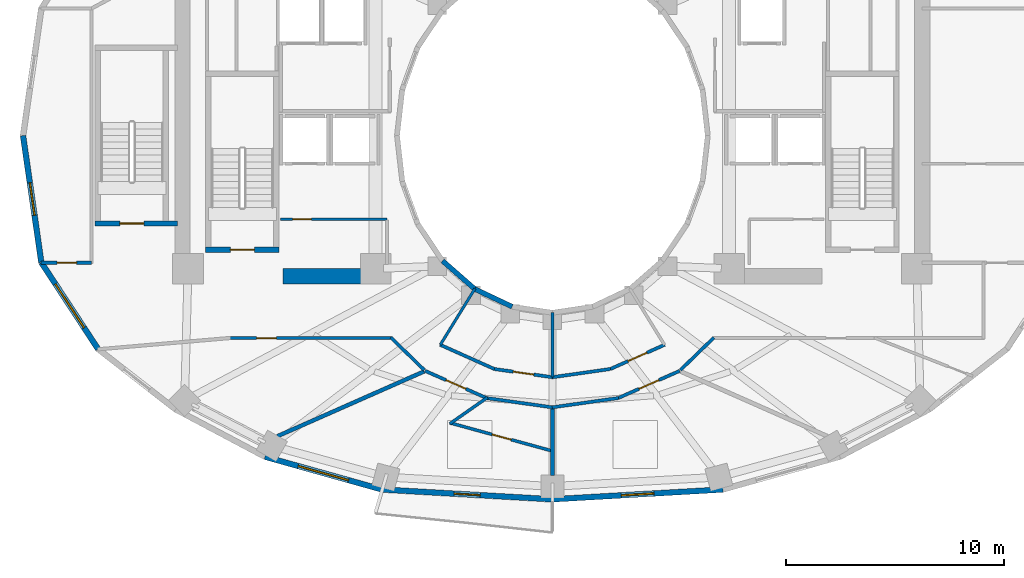
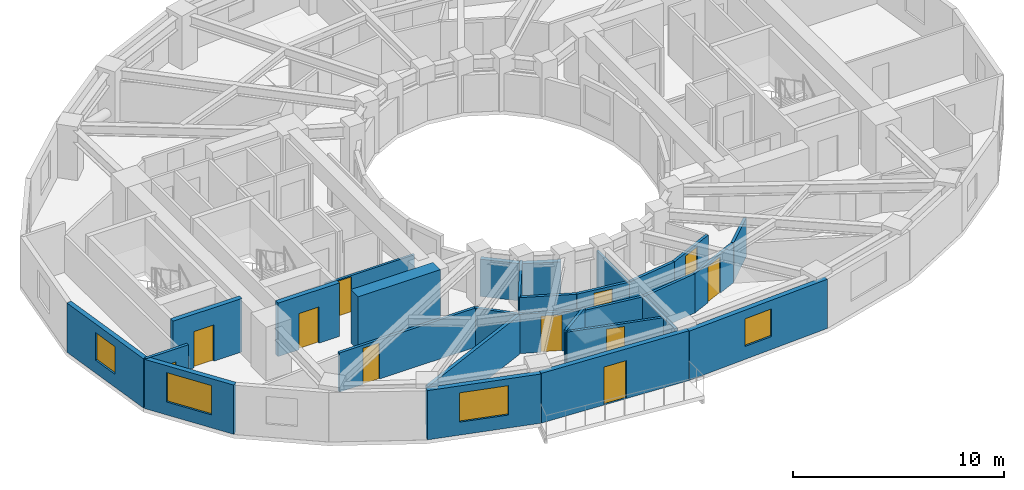
# One storey, part 3 of 9: 29 walls, 11 doors, 4 windows, 15 openings.
"""IFC4 building model written with IfcOpenShell, lengths in metres."""

from ifc_helpers import new_model, si_unit, direction, frame, frame_2d, origin, place, context, subcontext, project, spatial, rectangle, extrude, material, layer, layer_set, type_object, element, fill, save


model = new_model("IFC4")

# Units and contexts
model_context = context("Model", 3, precision=1e-05, world=origin(), true_north=direction((0.0, 1.0)))
body_context = subcontext(model_context, "Body", "Model", "MODEL_VIEW")
ifc_project = project(units=[si_unit("LENGTHUNIT", "METRE"), si_unit("AREAUNIT", "SQUARE_METRE"), si_unit("VOLUMEUNIT", "CUBIC_METRE"), si_unit("PLANEANGLEUNIT", "RADIAN"), si_unit("MASSUNIT", "GRAM", prefix="KILO")], contexts=[model_context])

# Site, building, storey
site_placement = place(None, origin())
site = spatial("IfcSite", under=ifc_project, at=site_placement, CompositionType="ELEMENT")
building_placement = place(site_placement, origin())
building = spatial("IfcBuilding", under=site, at=building_placement, Name="Solvane Sanctuary Tower", CompositionType="ELEMENT")
storey_placement = place(building_placement, frame((0.0, 0.0, 116.60009765625)))
storey = spatial("IfcBuildingStorey", under=building, at=storey_placement, Name="L35", CompositionType="ELEMENT", Elevation=116.60009765625)

# Wall
ifc_material_1 = material(Name="Concrete C60/75", Category="concrete")
ifc_layer_1 = layer(ifc_material_1, 0.699951171875, Name="Concrete C60/75")
ifc_layer_set_1 = layer_set([ifc_layer_1], Name="Concrete C60/75")
wall_type_1 = type_object("IfcWallType", Name="Wall W-CORE-700", PredefinedType="SHEAR", material=ifc_layer_set_1)
wall_1_placement = place(storey_placement, frame((19.64990234375, 16.550048828125, 0.0), z_axis=(0.0, 0.0, 1.0), x_axis=(1.0, 0.0, 0.0)))
element("IfcWall", 1, at=wall_1_placement, inside=storey, type_object=wall_type_1, Name="L35 Core Shear Wall WC-S", PredefinedType="SHEAR", context=body_context, shape_type="SweptSolid", body=[
    extrude(rectangle(XDim=4.5, YDim=0.699951171875, at=frame_2d((2.25, 0.0))), origin(), (0.0, 0.0, 1.0), 3.099853515625),
])

# Wall, opening, door
ifc_material_2 = material(Name="Acoustic Gypsum Partition Board")
ifc_layer_2 = layer(ifc_material_2, 0.14990234375, Name="Acoustic Gypsum Partition Board")
ifc_layer_set_2 = layer_set([ifc_layer_2], Name="Acoustic Gypsum Partition Board")
wall_type_2 = type_object("IfcWallType", Name="Wall W-CORR-150", PredefinedType="PARTITIONING", material=ifc_layer_set_2)
wall_2_placement = place(storey_placement, frame((8.558349609375, 17.1748046875, 0.0), z_axis=(0.0, 0.0, 1.0), x_axis=(1.0, 0.0, 0.0)))
wall_2 = element("IfcWall", 2, at=wall_2_placement, inside=storey, type_object=wall_type_2, Name="L35 West Shoulder South Wall", PredefinedType="PARTITIONING", context=body_context, shape_type="SweptSolid", body=[
    extrude(rectangle(XDim=2.321533203125, YDim=0.14990234375, at=frame_2d((1.16064453125, 0.0))), origin(), (0.0, 0.0, 1.0), 2.85498046875),
])
opening_1_placement = place(wall_2_placement, frame((0.739013671875, 0.0, 0.0)))
opening_1 = element("IfcOpeningElement", 3, at=opening_1_placement, cuts=wall_2, Name="Opening D-L35-16", PredefinedType="OPENING", context=body_context, shape_type="SweptSolid", body=[
    extrude(rectangle(XDim=0.89990234375, YDim=2.10009765625, at=frame_2d((0.449951171875, 1.050048828125))), frame((0.0, 0.0849609375, 0.0), z_axis=(0.0, -1.0, 0.0), x_axis=(1.0, 0.0, 0.0)), (0.0, 0.0, 1.0), 0.169921875),
])
ifc_material_3 = material(Name="Engineered Tropical Hardwood", Category="wood")
door_type_1 = type_object("IfcDoorType", Name="Door D-WET-900", OperationType="NOTDEFINED", PredefinedType="DOOR", material=ifc_material_3)
door_1_placement = place(opening_1_placement, origin())
door_1 = element("IfcDoor", 4, at=door_1_placement, inside=storey, type_object=door_type_1, Name="L35 West Shoulder South Door", OperationType="SINGLE_SWING_LEFT", OverallHeight=2.10009765625, OverallWidth=0.89990234375, PredefinedType="DOOR", context=body_context, shape_type="SweptSolid", body=[
    extrude(rectangle(XDim=0.89990234375, YDim=2.10009765625, at=frame_2d((0.449951171875, 1.050048828125))), frame((0.0, 0.02490234375, 0.0), z_axis=(0.0, -1.0, 0.0), x_axis=(1.0, 0.0, 0.0)), (0.0, 0.0, 1.0), 0.050048828125),
])
fill(opening_1, door_1)

# Wall
wall_3_placement = place(storey_placement, frame((26.132568359375, 12.251220703125, 0.0), z_axis=(0.0, 0.0, 1.0), x_axis=(-0.717419568599, 0.696641344302, 0.0)))
element("IfcWall", 5, at=wall_3_placement, inside=storey, type_object=wall_type_2, Name="L35 SW Corner Throat Wall", PredefinedType="PARTITIONING", context=body_context, shape_type="SweptSolid", body=[
    extrude(rectangle(XDim=2.138427734375, YDim=0.14990234375, at=frame_2d((1.0693359375, 0.0))), origin(), (0.0, 0.0, 1.0), 2.27197265625),
])

# Wall, opening, door
wall_4_placement = place(storey_placement, frame((17.14990234375, 13.719970703125, 0.0), z_axis=(0.0, 0.0, 1.0), x_axis=(1.0, 0.0, 0.0)))
wall_4 = element("IfcWall", 6, at=wall_4_placement, inside=storey, type_object=wall_type_2, Name="L35 SW Corner Corridor Wall", PredefinedType="PARTITIONING", context=body_context, shape_type="SweptSolid", body=[
    extrude(rectangle(XDim=7.52001953125, YDim=0.14990234375, at=frame_2d((3.760009765625, 0.0))), origin(), (0.0, 0.0, 1.0), 2.27197265625),
])
opening_2_placement = place(wall_4_placement, frame((1.300048828125, 0.0, 0.0)))
opening_2 = element("IfcOpeningElement", 7, at=opening_2_placement, cuts=wall_4, Name="Opening D-L35-20", PredefinedType="OPENING", context=body_context, shape_type="SweptSolid", body=[
    extrude(rectangle(XDim=0.89990234375, YDim=2.10009765625, at=frame_2d((0.449951171875, 1.050048828125))), frame((0.0, 0.0849609375, 0.0), z_axis=(0.0, -1.0, 0.0), x_axis=(1.0, 0.0, 0.0)), (0.0, 0.0, 1.0), 0.169921875),
])
door_2_placement = place(opening_2_placement, origin())
door_2 = element("IfcDoor", 8, at=door_2_placement, inside=storey, type_object=door_type_1, Name="L35 SW Corner Salon Door", OperationType="SINGLE_SWING_LEFT", OverallHeight=2.10009765625, OverallWidth=0.89990234375, PredefinedType="DOOR", context=body_context, shape_type="SweptSolid", body=[
    extrude(rectangle(XDim=0.89990234375, YDim=2.10009765625, at=frame_2d((0.449951171875, 1.050048828125))), frame((0.0, 0.02490234375, 0.0), z_axis=(0.0, -1.0, 0.0), x_axis=(1.0, 0.0, 0.0)), (0.0, 0.0, 1.0), 0.050048828125),
])
fill(opening_2, door_2)

# Walls
wall_5_placement = place(storey_placement, frame((37.867431640625, 12.251220703125, 0.0), z_axis=(0.0, 0.0, 1.0), x_axis=(0.717419568599, 0.696641344302, 0.0)))
element("IfcWall", 9, at=wall_5_placement, inside=storey, type_object=wall_type_2, Name="L35 SE Corner Throat Wall", PredefinedType="PARTITIONING", context=body_context, shape_type="SweptSolid", body=[
    extrude(rectangle(XDim=2.138427734375, YDim=0.14990234375, at=frame_2d((1.0693359375, 0.0))), origin(), (0.0, 0.0, 1.0), 2.27197265625),
])
wall_6_placement = place(storey_placement, frame((26.855712890625, 13.411865234375, 0.0), z_axis=(0.0, 0.0, 1.0), x_axis=(0.912985265053, -0.407992531545, 0.0)))
element("IfcWall", 10, at=wall_6_placement, inside=storey, type_object=wall_type_2, Name="L35 Inner Light-Well Corridor Wall S1", PredefinedType="PARTITIONING", context=body_context, shape_type="SweptSolid", body=[
    extrude(rectangle(XDim=2.723388671875, YDim=0.14990234375, at=frame_2d((1.36181640625, 0.0))), origin(), (0.0, 0.0, 1.0), 2.27197265625),
])

# Wall, opening, door
wall_7_placement = place(storey_placement, frame((29.338623046875, 12.302001953125, 0.0), z_axis=(0.0, 0.0, 1.0), x_axis=(0.990119079966, -0.140229124958, 0.0)))
wall_7 = element("IfcWall", 11, at=wall_7_placement, inside=storey, type_object=wall_type_2, Name="L35 Inner Light-Well Corridor Wall S1", PredefinedType="PARTITIONING", context=body_context, shape_type="SweptSolid", body=[
    extrude(rectangle(XDim=2.695068359375, YDim=0.14990234375, at=frame_2d((1.34765625, 0.0))), origin(), (0.0, 0.0, 1.0), 2.27197265625),
])
opening_3_placement = place(wall_7_placement, frame((0.87255859375, 0.0, 0.0)))
opening_3 = element("IfcOpeningElement", 12, at=opening_3_placement, cuts=wall_7, Name="Opening D-L35-23", PredefinedType="OPENING", context=body_context, shape_type="SweptSolid", body=[
    extrude(rectangle(XDim=0.949951171875, YDim=2.10009765625, at=frame_2d((0.47509765625, 1.050048828125))), frame((0.0, 0.0849609375, 0.0), z_axis=(0.0, -1.0, 0.0), x_axis=(1.0, 0.0, 0.0)), (0.0, 0.0, 1.0), 0.169921875),
])
door_type_2 = type_object("IfcDoorType", Name="Door D-ROOM-950", OperationType="NOTDEFINED", PredefinedType="DOOR", material=ifc_material_3)
door_3_placement = place(opening_3_placement, origin())
door_3 = element("IfcDoor", 13, at=door_3_placement, inside=storey, type_object=door_type_2, Name="L35 Inner Light-Well Salon Door S1", OperationType="SINGLE_SWING_RIGHT", OverallHeight=2.10009765625, OverallWidth=0.949951171875, PredefinedType="DOOR", context=body_context, shape_type="SweptSolid", body=[
    extrude(rectangle(XDim=0.949951171875, YDim=2.10009765625, at=frame_2d((0.47509765625, 1.050048828125))), frame((0.0, 0.02490234375, 0.0), z_axis=(0.0, -1.0, 0.0), x_axis=(1.0, 0.0, 0.0)), (0.0, 0.0, 1.0), 0.050048828125),
])
fill(opening_3, door_3)

# Wall
wall_8_placement = place(storey_placement, frame((31.992919921875, 11.924072265625, 0.0), z_axis=(0.0, 0.0, 1.0), x_axis=(0.990119079966, 0.140229124958, 0.0)))
element("IfcWall", 14, at=wall_8_placement, inside=storey, type_object=wall_type_2, Name="L35 Inner Light-Well Corridor Wall S2", PredefinedType="PARTITIONING", context=body_context, shape_type="SweptSolid", body=[
    extrude(rectangle(XDim=2.695068359375, YDim=0.14990234375, at=frame_2d((1.34765625, 0.0))), origin(), (0.0, 0.0, 1.0), 2.27197265625),
])

# Wall, opening, door
wall_9_placement = place(storey_placement, frame((34.657958984375, 12.30078125, 0.0), z_axis=(0.0, 0.0, 1.0), x_axis=(0.912985265053, 0.407992531545, 0.0)))
wall_9 = element("IfcWall", 15, at=wall_9_placement, inside=storey, type_object=wall_type_2, Name="L35 Inner Light-Well Corridor Wall S2", PredefinedType="PARTITIONING", context=body_context, shape_type="SweptSolid", body=[
    extrude(rectangle(XDim=2.723388671875, YDim=0.14990234375, at=frame_2d((1.36181640625, 0.0))), origin(), (0.0, 0.0, 1.0), 2.27197265625),
])
opening_4_placement = place(wall_9_placement, frame((0.88671875, 0.0, 0.0)))
opening_4 = element("IfcOpeningElement", 16, at=opening_4_placement, cuts=wall_9, Name="Opening D-L35-24", PredefinedType="OPENING", context=body_context, shape_type="SweptSolid", body=[
    extrude(rectangle(XDim=0.949951171875, YDim=2.10009765625, at=frame_2d((0.47509765625, 1.050048828125))), frame((0.0, 0.0849609375, 0.0), z_axis=(0.0, -1.0, 0.0), x_axis=(1.0, 0.0, 0.0)), (0.0, 0.0, 1.0), 0.169921875),
])
door_4_placement = place(opening_4_placement, origin())
door_4 = element("IfcDoor", 17, at=door_4_placement, inside=storey, type_object=door_type_2, Name="L35 Inner Light-Well Salon Door S2", OperationType="SINGLE_SWING_LEFT", OverallHeight=2.10009765625, OverallWidth=0.949951171875, PredefinedType="DOOR", context=body_context, shape_type="SweptSolid", body=[
    extrude(rectangle(XDim=0.949951171875, YDim=2.10009765625, at=frame_2d((0.47509765625, 1.050048828125))), frame((0.0, 0.02490234375, 0.0), z_axis=(0.0, -1.0, 0.0), x_axis=(1.0, 0.0, 0.0)), (0.0, 0.0, 1.0), 0.050048828125),
])
fill(opening_4, door_4)

# Wall
wall_10_placement = place(storey_placement, frame((28.93359375, 10.975341796875, 0.0), z_axis=(0.0, 0.0, 1.0), x_axis=(0.990254405439, -0.139270285808, 0.0)))
element("IfcWall", 18, at=wall_10_placement, inside=storey, type_object=wall_type_2, Name="L35 En-suite Inner Wall S1", PredefinedType="PARTITIONING", context=body_context, shape_type="SweptSolid", body=[
    extrude(rectangle(XDim=3.146728515625, YDim=0.14990234375, at=frame_2d((1.5732421875, 0.0))), origin(), (0.0, 0.0, 1.0), 2.27197265625),
])

# Wall, opening, door
wall_11_placement = place(storey_placement, frame((26.1650390625, 12.217041015625, 0.0), z_axis=(0.0, 0.0, 1.0), x_axis=(0.91445214467, -0.404694051239, 0.0)))
wall_11 = element("IfcWall", 19, at=wall_11_placement, inside=storey, type_object=wall_type_2, Name="L35 Unit Corridor Wall S1", PredefinedType="PARTITIONING", context=body_context, shape_type="SweptSolid", body=[
    extrude(rectangle(XDim=3.090576171875, YDim=0.14990234375, at=frame_2d((1.54541015625, 0.0))), origin(), (0.0, 0.0, 1.0), 2.27197265625),
])
opening_5_placement = place(wall_11_placement, frame((1.04541015625, 0.0, 0.0)))
opening_5 = element("IfcOpeningElement", 20, at=opening_5_placement, cuts=wall_11, Name="Opening D-L35-31", PredefinedType="OPENING", context=body_context, shape_type="SweptSolid", body=[
    extrude(rectangle(XDim=1.0, YDim=2.10009765625, at=frame_2d((0.5, 1.050048828125))), frame((0.0, 0.0849609375, 0.0), z_axis=(0.0, -1.0, 0.0), x_axis=(1.0, 0.0, 0.0)), (0.0, 0.0, 1.0), 0.169921875),
])
door_type_3 = type_object("IfcDoorType", Name="Door D-UNIT", OperationType="NOTDEFINED", PredefinedType="DOOR", material=ifc_material_3)
door_5_placement = place(opening_5_placement, origin())
door_5 = element("IfcDoor", 21, at=door_5_placement, inside=storey, type_object=door_type_3, Name="L35 Unit Entrance Door S1", OperationType="SINGLE_SWING_RIGHT", OverallHeight=2.10009765625, OverallWidth=1.0, PredefinedType="DOOR", context=body_context, shape_type="SweptSolid", body=[
    extrude(rectangle(XDim=1.0, YDim=2.10009765625, at=frame_2d((0.5, 1.050048828125))), frame((0.0, 0.02490234375, 0.0), z_axis=(0.0, -1.0, 0.0), x_axis=(1.0, 0.0, 0.0)), (0.0, 0.0, 1.0), 0.050048828125),
])
fill(opening_5, door_5)

# Wall
wall_12_placement = place(storey_placement, frame((31.991943359375, 10.5439453125, 0.0), z_axis=(0.0, 0.0, 1.0), x_axis=(0.990243864279, 0.139345216129, 0.0)))
element("IfcWall", 22, at=wall_12_placement, inside=storey, type_object=wall_type_2, Name="L35 Unit Corridor Wall S2", PredefinedType="PARTITIONING", context=body_context, shape_type="SweptSolid", body=[
    extrude(rectangle(XDim=3.0625, YDim=0.14990234375, at=frame_2d((1.53125, 0.0))), origin(), (0.0, 0.0, 1.0), 2.27197265625),
])

# Wall, opening, door
wall_13_placement = place(storey_placement, frame((35.0087890625, 10.96630859375, 0.0), z_axis=(0.0, 0.0, 1.0), x_axis=(0.91445214467, 0.404694051239, 0.0)))
wall_13 = element("IfcWall", 23, at=wall_13_placement, inside=storey, type_object=wall_type_2, Name="L35 Unit Corridor Wall S2", PredefinedType="PARTITIONING", context=body_context, shape_type="SweptSolid", body=[
    extrude(rectangle(XDim=3.090576171875, YDim=0.14990234375, at=frame_2d((1.54541015625, 0.0))), origin(), (0.0, 0.0, 1.0), 2.27197265625),
])
opening_6_placement = place(wall_13_placement, frame((1.04541015625, 0.0, 0.0)))
opening_6 = element("IfcOpeningElement", 24, at=opening_6_placement, cuts=wall_13, Name="Opening D-L35-32", PredefinedType="OPENING", context=body_context, shape_type="SweptSolid", body=[
    extrude(rectangle(XDim=1.0, YDim=2.10009765625, at=frame_2d((0.5, 1.050048828125))), frame((0.0, 0.0849609375, 0.0), z_axis=(0.0, -1.0, 0.0), x_axis=(1.0, 0.0, 0.0)), (0.0, 0.0, 1.0), 0.169921875),
])
door_6_placement = place(opening_6_placement, origin())
door_6 = element("IfcDoor", 25, at=door_6_placement, inside=storey, type_object=door_type_3, Name="L35 Unit Entrance Door S2", OperationType="SINGLE_SWING_LEFT", OverallHeight=2.10009765625, OverallWidth=1.0, PredefinedType="DOOR", context=body_context, shape_type="SweptSolid", body=[
    extrude(rectangle(XDim=1.0, YDim=2.10009765625, at=frame_2d((0.5, 1.050048828125))), frame((0.0, 0.02490234375, 0.0), z_axis=(0.0, -1.0, 0.0), x_axis=(1.0, 0.0, 0.0)), (0.0, 0.0, 1.0), 0.050048828125),
])
fill(opening_6, door_6)

# Wall, opening, window
ifc_material_4 = material(Name="Precast concrete C40/50", Category="concrete")
ifc_layer_3 = layer(ifc_material_4, 0.260009765625, Name="Precast concrete C40/50")
ifc_layer_set_3 = layer_set([ifc_layer_3], Name="Precast concrete C40/50")
wall_type_3 = type_object("IfcWallType", Name="Wall W-EXT-250", PredefinedType="STANDARD", material=ifc_layer_set_3)
wall_14_placement = place(storey_placement, frame((7.739990234375, 23.0, 0.0), z_axis=(0.0, 0.0, 1.0), x_axis=(0.142572472068, -0.98978436551, 0.0)))
wall_14 = element("IfcWall", 26, at=wall_14_placement, inside=storey, type_object=wall_type_3, Name="L35 Ceramic-Printed Facade Wall 12", PredefinedType="STANDARD", context=body_context, shape_type="SweptSolid", body=[
    extrude(rectangle(XDim=5.878662109375, YDim=0.260009765625, at=frame_2d((2.939453125, 0.0))), origin(), (0.0, 0.0, 1.0), 2.849853515625),
])
opening_7_placement = place(wall_14_placement, frame((2.189453125, 0.0, 0.75)))
opening_7 = element("IfcOpeningElement", 27, at=opening_7_placement, cuts=wall_14, Name="Opening WN-OPER-1500", PredefinedType="OPENING", context=body_context, shape_type="SweptSolid", body=[
    extrude(rectangle(XDim=1.5, YDim=1.60009765625, at=frame_2d((0.75, 0.800048828125))), frame((0.0, 0.139892578125, 0.0), z_axis=(0.0, -1.0, 0.0), x_axis=(1.0, 0.0, 0.0)), (0.0, 0.0, 1.0), 0.280029296875),
])
ifc_material_5 = material(Name="Dark Ceramic-Fritted Low-E Glass", Category="glass")
window_type_1 = type_object("IfcWindowType", Name="Window WN-OPER-1500", PartitioningType="SINGLE_PANEL", PredefinedType="WINDOW", material=ifc_material_5)
window_1_placement = place(opening_7_placement, origin())
window_1 = element("IfcWindow", 28, at=window_1_placement, inside=storey, type_object=window_type_1, Name="L35 Operable Facade Window 12", OverallHeight=1.60009765625, OverallWidth=1.5, PartitioningType="SINGLE_PANEL", PredefinedType="WINDOW", context=body_context, shape_type="SweptSolid", body=[
    extrude(rectangle(XDim=1.5, YDim=1.60009765625, at=frame_2d((0.75, 0.800048828125))), frame((0.0, 0.030029296875, 0.0), z_axis=(0.0, -1.0, 0.0), x_axis=(1.0, 0.0, 0.0)), (0.0, 0.0, 1.0), 0.06005859375),
])
fill(opening_7, window_1)

wall_15_placement = place(storey_placement, frame((8.578125, 17.181396484375, 0.0), z_axis=(0.0, 0.0, 1.0), x_axis=(0.548283220945, -0.836292717672, 0.0)))
wall_15 = element("IfcWall", 29, at=wall_15_placement, inside=storey, type_object=wall_type_3, Name="L35 Ceramic-Printed Facade Wall 13", PredefinedType="STANDARD", context=body_context, shape_type="SweptSolid", body=[
    extrude(rectangle(XDim=4.744384765625, YDim=0.260009765625, at=frame_2d((2.3720703125, 0.0))), origin(), (0.0, 0.0, 1.0), 2.849853515625),
])
opening_8_placement = place(wall_15_placement, frame((1.172119140625, 0.0, 0.75)))
opening_8 = element("IfcOpeningElement", 30, at=opening_8_placement, cuts=wall_15, Name="Opening WN-RIB-2400", PredefinedType="OPENING", context=body_context, shape_type="SweptSolid", body=[
    extrude(rectangle(XDim=2.39990234375, YDim=1.699951171875, at=frame_2d((1.199951171875, 0.85009765625))), frame((0.0, 0.139892578125, 0.0), z_axis=(0.0, -1.0, 0.0), x_axis=(1.0, 0.0, 0.0)), (0.0, 0.0, 1.0), 0.280029296875),
])
window_type_2 = type_object("IfcWindowType", Name="Window WN-RIB-2400", PartitioningType="SINGLE_PANEL", PredefinedType="WINDOW", material=ifc_material_5)
window_2_placement = place(opening_8_placement, origin())
window_2 = element("IfcWindow", 31, at=window_2_placement, inside=storey, type_object=window_type_2, Name="L35 Operable Facade Window 13", OverallHeight=1.699951171875, OverallWidth=2.39990234375, PartitioningType="SINGLE_PANEL", PredefinedType="WINDOW", context=body_context, shape_type="SweptSolid", body=[
    extrude(rectangle(XDim=2.39990234375, YDim=1.699951171875, at=frame_2d((1.199951171875, 0.85009765625))), frame((0.0, 0.030029296875, 0.0), z_axis=(0.0, -1.0, 0.0), x_axis=(1.0, 0.0, 0.0)), (0.0, 0.0, 1.0), 0.06005859375),
])
fill(opening_8, window_2)

wall_16_placement = place(storey_placement, frame((18.82666015625, 8.27880859375, 0.0), z_axis=(0.0, 0.0, 1.0), x_axis=(0.962938491413, -0.269721081407, 0.0)))
wall_16 = element("IfcWall", 32, at=wall_16_placement, inside=storey, type_object=wall_type_3, Name="L35 Ceramic-Printed Facade Wall 16", PredefinedType="STANDARD", context=body_context, shape_type="SweptSolid", body=[
    extrude(rectangle(XDim=5.563232421875, YDim=0.260009765625, at=frame_2d((2.78173828125, 0.0))), origin(), (0.0, 0.0, 1.0), 2.849853515625),
])
opening_9_placement = place(wall_16_placement, frame((1.58154296875, 0.0, 0.75)))
opening_9 = element("IfcOpeningElement", 33, at=opening_9_placement, cuts=wall_16, Name="Opening WN-RIB-2400", PredefinedType="OPENING", context=body_context, shape_type="SweptSolid", body=[
    extrude(rectangle(XDim=2.39990234375, YDim=1.699951171875, at=frame_2d((1.199951171875, 0.85009765625))), frame((0.0, 0.139892578125, 0.0), z_axis=(0.0, -1.0, 0.0), x_axis=(1.0, 0.0, 0.0)), (0.0, 0.0, 1.0), 0.280029296875),
])
window_3_placement = place(opening_9_placement, origin())
window_3 = element("IfcWindow", 34, at=window_3_placement, inside=storey, type_object=window_type_2, Name="L35 Operable Facade Window 16", OverallHeight=1.699951171875, OverallWidth=2.39990234375, PartitioningType="SINGLE_PANEL", PredefinedType="WINDOW", context=body_context, shape_type="SweptSolid", body=[
    extrude(rectangle(XDim=2.39990234375, YDim=1.699951171875, at=frame_2d((1.199951171875, 0.85009765625))), frame((0.0, 0.030029296875, 0.0), z_axis=(0.0, -1.0, 0.0), x_axis=(1.0, 0.0, 0.0)), (0.0, 0.0, 1.0), 0.06005859375),
])
fill(opening_9, window_3)

# Wall, opening, door
wall_17_placement = place(storey_placement, frame((24.18359375, 6.7783203125, 0.0), z_axis=(0.0, 0.0, 1.0), x_axis=(0.998352606703, -0.057376586592, 0.0)))
wall_17 = element("IfcWall", 35, at=wall_17_placement, inside=storey, type_object=wall_type_3, Name="L35 Balcony Facade Wall SC", PredefinedType="STANDARD", context=body_context, shape_type="SweptSolid", body=[
    extrude(rectangle(XDim=7.829345703125, YDim=0.260009765625, at=frame_2d((3.91455078125, 0.0))), origin(), (0.0, 0.0, 1.0), 2.8798828125),
])
opening_10_placement = place(wall_17_placement, frame((3.314697265625, 0.0, 0.0)))
opening_10 = element("IfcOpeningElement", 36, at=opening_10_placement, cuts=wall_17, Name="Opening D-L35-02", PredefinedType="OPENING", context=body_context, shape_type="SweptSolid", body=[
    extrude(rectangle(XDim=1.199951171875, YDim=2.199951171875, at=frame_2d((0.60009765625, 1.10009765625))), frame((0.0, 0.139892578125, 0.0), z_axis=(0.0, -1.0, 0.0), x_axis=(1.0, 0.0, 0.0)), (0.0, 0.0, 1.0), 0.280029296875),
])
ifc_material_6 = material(Name="Anodised Aluminium 6063-T6", Category="aluminium")
door_type_4 = type_object("IfcDoorType", Name="Door D-BALC-1200", OperationType="NOTDEFINED", PredefinedType="DOOR", material=ifc_material_6)
door_7_placement = place(opening_10_placement, origin())
door_7 = element("IfcDoor", 37, at=door_7_placement, inside=storey, type_object=door_type_4, Name="L35 Glazed Balcony Door SC", OperationType="SINGLE_SWING_LEFT", OverallHeight=2.199951171875, OverallWidth=1.199951171875, PredefinedType="DOOR", context=body_context, shape_type="SweptSolid", body=[
    extrude(rectangle(XDim=1.199951171875, YDim=2.199951171875, at=frame_2d((0.60009765625, 1.10009765625))), frame((0.0, 0.02490234375, 0.0), z_axis=(0.0, -1.0, 0.0), x_axis=(1.0, 0.0, 0.0)), (0.0, 0.0, 1.0), 0.050048828125),
])
fill(opening_10, door_7)

# Wall, opening, window
wall_18_placement = place(storey_placement, frame((32.0, 6.3291015625, 0.0), z_axis=(0.0, 0.0, 1.0), x_axis=(0.998352606703, 0.057376586592, 0.0)))
wall_18 = element("IfcWall", 38, at=wall_18_placement, inside=storey, type_object=wall_type_3, Name="L35 Ceramic-Printed Facade Wall 18", PredefinedType="STANDARD", context=body_context, shape_type="SweptSolid", body=[
    extrude(rectangle(XDim=7.829345703125, YDim=0.260009765625, at=frame_2d((3.91455078125, 0.0))), origin(), (0.0, 0.0, 1.0), 2.849853515625),
])
opening_11_placement = place(wall_18_placement, frame((3.16455078125, 0.0, 0.75)))
opening_11 = element("IfcOpeningElement", 39, at=opening_11_placement, cuts=wall_18, Name="Opening WN-OPER-1500", PredefinedType="OPENING", context=body_context, shape_type="SweptSolid", body=[
    extrude(rectangle(XDim=1.5, YDim=1.60009765625, at=frame_2d((0.75, 0.800048828125))), frame((0.0, 0.139892578125, 0.0), z_axis=(0.0, -1.0, 0.0), x_axis=(1.0, 0.0, 0.0)), (0.0, 0.0, 1.0), 0.280029296875),
])
window_4_placement = place(opening_11_placement, origin())
window_4 = element("IfcWindow", 40, at=window_4_placement, inside=storey, type_object=window_type_1, Name="L35 Operable Facade Window 18", OverallHeight=1.60009765625, OverallWidth=1.5, PartitioningType="SINGLE_PANEL", PredefinedType="WINDOW", context=body_context, shape_type="SweptSolid", body=[
    extrude(rectangle(XDim=1.5, YDim=1.60009765625, at=frame_2d((0.75, 0.800048828125))), frame((0.0, 0.030029296875, 0.0), z_axis=(0.0, -1.0, 0.0), x_axis=(1.0, 0.0, 0.0)), (0.0, 0.0, 1.0), 0.06005859375),
])
fill(opening_11, window_4)

# Walls
ifc_layer_4 = layer(ifc_material_4, 0.22998046875, Name="Precast concrete C40/50")
ifc_layer_set_4 = layer_set([ifc_layer_4], Name="Precast concrete C40/50")
wall_type_4 = type_object("IfcWallType", Name="Wall W-EXT-SP220", PredefinedType="STANDARD", material=ifc_layer_set_4)
wall_19_placement = place(storey_placement, frame((26.96533203125, 17.25830078125, 0.0), z_axis=(0.0, 0.0, 1.0), x_axis=(0.752576694707, -0.658504607869, 0.0)))
element("IfcWall", 41, at=wall_19_placement, inside=storey, type_object=wall_type_4, Name="L35 Central Light-Well Wall 15", PredefinedType="STANDARD", context=body_context, shape_type="SweptSolid", body=[
    extrude(rectangle(XDim=1.95947265625, YDim=0.22998046875, at=frame_2d((0.979736328125, 0.0))), origin(), (0.0, 0.0, 1.0), 2.159912109375),
])
wall_20_placement = place(storey_placement, frame((28.43994140625, 15.968017578125, 0.0), z_axis=(0.0, 0.0, 1.0), x_axis=(0.904179699603, -0.427152280606, 0.0)))
element("IfcWall", 42, at=wall_20_placement, inside=storey, type_object=wall_type_4, Name="L35 Central Light-Well Wall 16", PredefinedType="STANDARD", context=body_context, shape_type="SweptSolid", body=[
    extrude(rectangle(XDim=1.899169921875, YDim=0.22998046875, at=frame_2d((0.94970703125, 0.0))), origin(), (0.0, 0.0, 1.0), 2.159912109375),
])

# Wall, opening, door
ifc_layer_5 = layer(ifc_material_2, 0.125, Name="Acoustic Gypsum Partition Board")
ifc_layer_set_5 = layer_set([ifc_layer_5], Name="Acoustic Gypsum Partition Board")
wall_type_5 = type_object("IfcWallType", Name="Wall W-PART-125", PredefinedType="PARTITIONING", material=ifc_layer_set_5)
wall_21_placement = place(storey_placement, frame((19.550048828125, 19.159912109375, 0.0), z_axis=(0.0, 0.0, 1.0), x_axis=(1.0, 0.0, 0.0)))
wall_21 = element("IfcWall", 43, at=wall_21_placement, inside=storey, type_object=wall_type_5, Name="L35 Reclaimed Room Partition PLW", PredefinedType="PARTITIONING", context=body_context, shape_type="SweptSolid", body=[
    extrude(rectangle(XDim=4.869873046875, YDim=0.125, at=frame_2d((2.43505859375, 0.0))), origin(), (0.0, 0.0, 1.0), 2.119873046875),
])
opening_12_placement = place(wall_21_placement, frame((0.550048828125, 0.0, 0.0)))
opening_12 = element("IfcOpeningElement", 44, at=opening_12_placement, cuts=wall_21, Name="Opening D-L35-08", PredefinedType="OPENING", context=body_context, shape_type="SweptSolid", body=[
    extrude(rectangle(XDim=0.85009765625, YDim=2.050048828125, at=frame_2d((0.425048828125, 1.02490234375))), frame((0.0, 0.072509765625, 0.0), z_axis=(0.0, -1.0, 0.0), x_axis=(1.0, 0.0, 0.0)), (0.0, 0.0, 1.0), 0.14501953125),
])
ifc_material_7 = material(Name="Architectural Stainless Steel 316", Category="steel")
door_type_5 = type_object("IfcDoorType", Name="Door D-RISER", OperationType="NOTDEFINED", PredefinedType="DOOR", material=ifc_material_7)
door_8_placement = place(opening_12_placement, origin())
door_8 = element("IfcDoor", 45, at=door_8_placement, inside=storey, type_object=door_type_5, Name="L35 Reclaimed Room Door PLW-1", OperationType="SINGLE_SWING_LEFT", OverallHeight=2.050048828125, OverallWidth=0.85009765625, PredefinedType="DOOR", context=body_context, shape_type="SweptSolid", body=[
    extrude(rectangle(XDim=0.85009765625, YDim=2.050048828125, at=frame_2d((0.425048828125, 1.02490234375))), frame((0.0, 0.02490234375, 0.0), z_axis=(0.0, -1.0, 0.0), x_axis=(1.0, 0.0, 0.0)), (0.0, 0.0, 1.0), 0.050048828125),
])
fill(opening_12, door_8)

# Walls
wall_22_placement = place(storey_placement, frame((28.449951171875, 15.985107421875, 0.0), z_axis=(0.0, 0.0, 1.0), x_axis=(-0.524565340045, -0.851370192116, 0.0)))
element("IfcWall", 46, at=wall_22_placement, inside=storey, type_object=wall_type_5, Name="L35 Inner Light-Well Radial Wall 240", PredefinedType="PARTITIONING", context=body_context, shape_type="SweptSolid", body=[
    extrude(rectangle(XDim=3.027099609375, YDim=0.125, at=frame_2d((1.513671875, 0.0))), origin(), (0.0, 0.0, 1.0), 2.27197265625),
])
wall_23_placement = place(storey_placement, frame((32.0, 14.89990234375, 0.0), z_axis=(0.0, 0.0, 1.0), x_axis=(0.0, -1.0, 0.0)))
element("IfcWall", 47, at=wall_23_placement, inside=storey, type_object=wall_type_5, Name="L35 Inner Light-Well Radial Wall 270", PredefinedType="PARTITIONING", context=body_context, shape_type="SweptSolid", body=[
    extrude(rectangle(XDim=2.975830078125, YDim=0.125, at=frame_2d((1.48779296875, 0.0))), origin(), (0.0, 0.0, 1.0), 2.27197265625),
])

# Wall, opening, door
ifc_material_8 = material(Name="Concrete C50/60", Category="concrete")
ifc_layer_6 = layer(ifc_material_8, 0.25, Name="Concrete C50/60")
ifc_layer_set_6 = layer_set([ifc_layer_6], Name="Concrete C50/60")
wall_type_6 = type_object("IfcWallType", Name="Wall W-SHAFT-250", PredefinedType="SOLIDWALL", material=ifc_layer_set_6)
wall_24_placement = place(storey_placement, frame((16.10498046875, 17.77001953125, 0.0), z_axis=(0.0, 0.0, 1.0), x_axis=(1.0, 0.0, 0.0)))
wall_24 = element("IfcWall", 48, at=wall_24_placement, inside=storey, type_object=wall_type_6, Name="L35 ST-1 Load-Bearing Shaft Wall S", PredefinedType="SOLIDWALL", context=body_context, shape_type="SweptSolid", body=[
    extrude(rectangle(XDim=3.3701171875, YDim=0.25, at=frame_2d((1.68505859375, 0.0))), origin(), (0.0, 0.0, 1.0), 3.099853515625),
])
opening_13_placement = place(wall_24_placement, frame((1.135009765625, 0.0, 0.0)))
opening_13 = element("IfcOpeningElement", 49, at=opening_13_placement, cuts=wall_24, Name="Opening D-L35-03", PredefinedType="OPENING", context=body_context, shape_type="SweptSolid", body=[
    extrude(rectangle(XDim=1.10009765625, YDim=2.10009765625, at=frame_2d((0.550048828125, 1.050048828125))), frame((0.0, 0.135009765625, 0.0), z_axis=(0.0, -1.0, 0.0), x_axis=(1.0, 0.0, 0.0)), (0.0, 0.0, 1.0), 0.27001953125),
])
door_type_6 = type_object("IfcDoorType", Name="Door D-STAIR", OperationType="NOTDEFINED", PredefinedType="DOOR", material=ifc_material_7)
door_9_placement = place(opening_13_placement, origin())
door_9 = element("IfcDoor", 50, at=door_9_placement, inside=storey, type_object=door_type_6, Name="L35 ST-1 Exit Stair Fire Door", OperationType="SINGLE_SWING_LEFT", OverallHeight=2.10009765625, OverallWidth=1.10009765625, PredefinedType="DOOR", context=body_context, shape_type="SweptSolid", body=[
    extrude(rectangle(XDim=1.10009765625, YDim=2.10009765625, at=frame_2d((0.550048828125, 1.050048828125))), frame((0.0, 0.02490234375, 0.0), z_axis=(0.0, -1.0, 0.0), x_axis=(1.0, 0.0, 0.0)), (0.0, 0.0, 1.0), 0.050048828125),
])
fill(opening_13, door_9)

wall_25_placement = place(storey_placement, frame((11.044921875, 18.969970703125, 0.0), z_axis=(0.0, 0.0, 1.0), x_axis=(1.0, 0.0, 0.0)))
wall_25 = element("IfcWall", 51, at=wall_25_placement, inside=storey, type_object=wall_type_6, Name="L35 ST-3 Load-Bearing Shaft Wall S", PredefinedType="SOLIDWALL", context=body_context, shape_type="SweptSolid", body=[
    extrude(rectangle(XDim=3.781982421875, YDim=0.25, at=frame_2d((1.89111328125, 0.0))), origin(), (0.0, 0.0, 1.0), 3.099853515625),
])
opening_14_placement = place(wall_25_placement, frame((1.135009765625, 0.0, 0.0)))
opening_14 = element("IfcOpeningElement", 52, at=opening_14_placement, cuts=wall_25, Name="Opening D-L35-05", PredefinedType="OPENING", context=body_context, shape_type="SweptSolid", body=[
    extrude(rectangle(XDim=1.10009765625, YDim=2.10009765625, at=frame_2d((0.550048828125, 1.050048828125))), frame((0.0, 0.135009765625, 0.0), z_axis=(0.0, -1.0, 0.0), x_axis=(1.0, 0.0, 0.0)), (0.0, 0.0, 1.0), 0.27001953125),
])
door_10_placement = place(opening_14_placement, origin())
door_10 = element("IfcDoor", 53, at=door_10_placement, inside=storey, type_object=door_type_6, Name="L35 ST-3 Exit Stair Fire Door", OperationType="SINGLE_SWING_LEFT", OverallHeight=2.10009765625, OverallWidth=1.10009765625, PredefinedType="DOOR", context=body_context, shape_type="SweptSolid", body=[
    extrude(rectangle(XDim=1.10009765625, YDim=2.10009765625, at=frame_2d((0.550048828125, 1.050048828125))), frame((0.0, 0.02490234375, 0.0), z_axis=(0.0, -1.0, 0.0), x_axis=(1.0, 0.0, 0.0)), (0.0, 0.0, 1.0), 0.050048828125),
])
fill(opening_14, door_10)

# Walls
ifc_layer_7 = layer(ifc_material_2, 0.179931640625, Name="Acoustic Gypsum Partition Board")
ifc_layer_set_7 = layer_set([ifc_layer_7], Name="Acoustic Gypsum Partition Board")
wall_type_7 = type_object("IfcWallType", Name="Wall W-UNIT-180", PredefinedType="PARTITIONING", material=ifc_layer_set_7)
wall_26_placement = place(storey_placement, frame((26.12158203125, 12.190673828125, 0.0), z_axis=(0.0, 0.0, 1.0), x_axis=(-0.914765930761, -0.403984271872, 0.0)))
element("IfcWall", 54, at=wall_26_placement, inside=storey, type_object=wall_type_7, Name="L35 Radial Compartment Wall 240", PredefinedType="PARTITIONING", context=body_context, shape_type="SweptSolid", body=[
    extrude(rectangle(XDim=7.35400390625, YDim=0.179931640625, at=frame_2d((3.677001953125, 0.0))), origin(), (0.0, 0.0, 1.0), 2.27197265625),
])
wall_27_placement = place(storey_placement, frame((32.0, 10.489013671875, 0.0), z_axis=(0.0, 0.0, 1.0), x_axis=(0.0, -1.0, 0.0)))
element("IfcWall", 55, at=wall_27_placement, inside=storey, type_object=wall_type_7, Name="L35 Radial Compartment Wall 270", PredefinedType="PARTITIONING", context=body_context, shape_type="SweptSolid", body=[
    extrude(rectangle(XDim=3.06396484375, YDim=0.179931640625, at=frame_2d((1.531982421875, 0.0))), origin(), (0.0, 0.0, 1.0), 2.27197265625),
])
ifc_layer_8 = layer(ifc_material_2, 0.139892578125, Name="Acoustic Gypsum Partition Board")
ifc_layer_set_8 = layer_set([ifc_layer_8], Name="Acoustic Gypsum Partition Board")
wall_type_8 = type_object("IfcWallType", Name="Wall W-WET-140", PredefinedType="PLUMBINGWALL", material=ifc_layer_set_8)
wall_28_placement = place(storey_placement, frame((29.024169921875, 10.9970703125, 0.0), z_axis=(0.0, 0.0, 1.0), x_axis=(-0.819614061163, -0.572916041619, 0.0)))
element("IfcWall", 56, at=wall_28_placement, inside=storey, type_object=wall_type_8, Name="L35 En-suite Side Partition S1", PredefinedType="PLUMBINGWALL", context=body_context, shape_type="SweptSolid", body=[
    extrude(rectangle(XDim=2.10009765625, YDim=0.139892578125, at=frame_2d((1.050048828125, 0.0))), origin(), (0.0, 0.0, 1.0), 2.385009765625),
])

# Wall, opening, door
wall_29_placement = place(storey_placement, frame((27.295654296875, 9.835693359375, 0.0), z_axis=(0.0, 0.0, 1.0), x_axis=(0.964308540899, -0.26478111328, 0.0)))
wall_29 = element("IfcWall", 57, at=wall_29_placement, inside=storey, type_object=wall_type_8, Name="L35 En-suite Bedroom Wall S1", PredefinedType="PLUMBINGWALL", context=body_context, shape_type="SweptSolid", body=[
    extrude(rectangle(XDim=4.92822265625, YDim=0.139892578125, at=frame_2d((2.464111328125, 0.0))), origin(), (0.0, 0.0, 1.0), 2.27197265625),
])
opening_15_placement = place(wall_29_placement, frame((2.01416015625, 0.0, 0.0)))
opening_15 = element("IfcOpeningElement", 58, at=opening_15_placement, cuts=wall_29, Name="Opening D-L35-30", PredefinedType="OPENING", context=body_context, shape_type="SweptSolid", body=[
    extrude(rectangle(XDim=0.89990234375, YDim=2.10009765625, at=frame_2d((0.449951171875, 1.050048828125))), frame((0.0, 0.079833984375, 0.0), z_axis=(0.0, -1.0, 0.0), x_axis=(1.0, 0.0, 0.0)), (0.0, 0.0, 1.0), 0.159912109375),
])
door_11_placement = place(opening_15_placement, origin())
door_11 = element("IfcDoor", 59, at=door_11_placement, inside=storey, type_object=door_type_1, Name="L35 En-suite Bathroom Door S1", OperationType="SINGLE_SWING_LEFT", OverallHeight=2.10009765625, OverallWidth=0.89990234375, PredefinedType="DOOR", context=body_context, shape_type="SweptSolid", body=[
    extrude(rectangle(XDim=0.89990234375, YDim=2.10009765625, at=frame_2d((0.449951171875, 1.050048828125))), frame((0.0, 0.02490234375, 0.0), z_axis=(0.0, -1.0, 0.0), x_axis=(1.0, 0.0, 0.0)), (0.0, 0.0, 1.0), 0.050048828125),
])
fill(opening_15, door_11)

save(model, "model.ifc")
